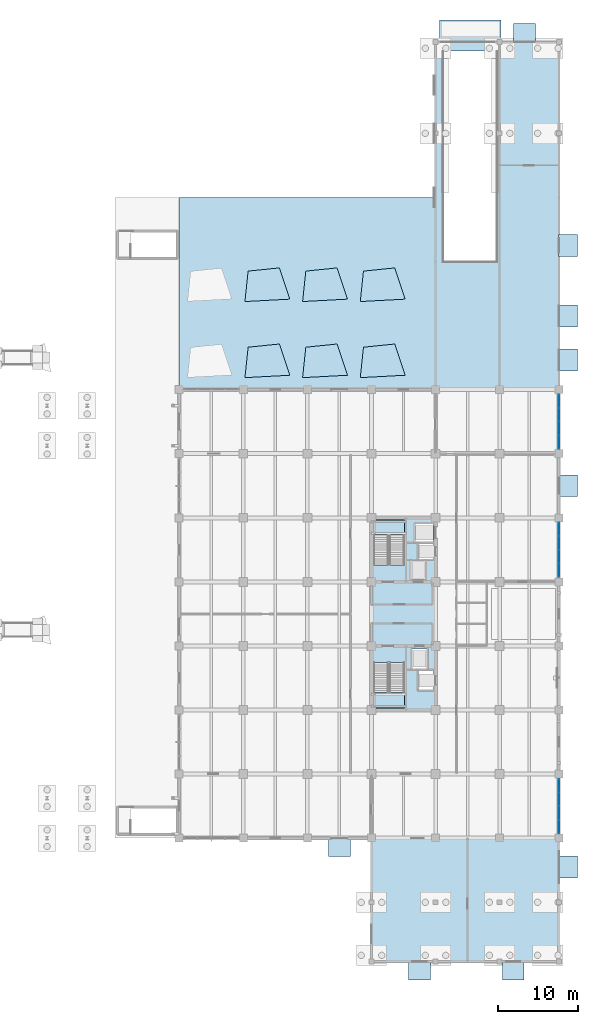
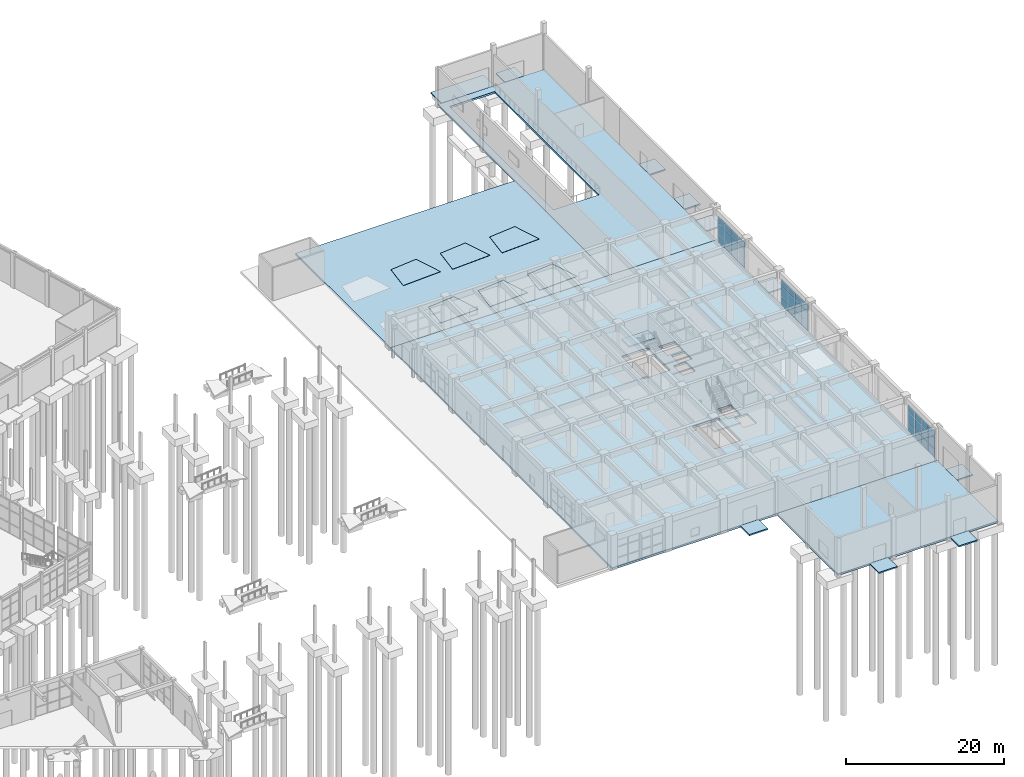
# One storey, part 68 of 90: 36 plates, 22 slabs, 5 elements without a shape of their own.
"""IFC4 building model written with IfcOpenShell, lengths in metres."""

from ifc_helpers import new_model, si_unit, direction, frame, origin, origin_2d, place, context, subcontext, project, spatial, polyline, rectangle, outline, extrude, material, layer, layer_set, type_object, element, aggregate, save


model = new_model("IFC4")

# Units and contexts
model_context = context("Model", 3, precision=1e-05, world=origin(), true_north=direction((0.0, 1.0)))
body_context = subcontext(model_context, "Body", "Model", "MODEL_VIEW")
ifc_project = project(units=[si_unit("LENGTHUNIT", "METRE"), si_unit("AREAUNIT", "SQUARE_METRE"), si_unit("VOLUMEUNIT", "CUBIC_METRE"), si_unit("PLANEANGLEUNIT", "RADIAN"), si_unit("MASSUNIT", "GRAM", prefix="KILO")], contexts=[model_context])

# Site, building, storey
site_placement = place(None, origin())
site = spatial("IfcSite", under=ifc_project, at=site_placement, CompositionType="ELEMENT")
building_placement = place(site_placement, origin())
building = spatial("IfcBuilding", under=site, at=building_placement, Name="Canggui Botanical Conservatory", CompositionType="ELEMENT")
storey_placement = place(building_placement, origin())
storey = spatial("IfcBuildingStorey", under=building, at=storey_placement, Name="L01", CompositionType="ELEMENT", Elevation=0.0)

# Curtain wall, plates
ifc_material_1 = material(Name="Thermally Broken Aluminium", Category="aluminium")
ifc_layer_1 = layer(ifc_material_1, 0.179931640625, Name="Thermally Broken Aluminium", Category="aluminium")
ifc_layer_set_1 = layer_set([ifc_layer_1], Name="Thermally Broken Aluminium")
curtain_wall_type = type_object("IfcCurtainWallType", Name="CW-UNIT-A", PredefinedType="USERDEFINED", material=ifc_layer_set_1)
curtain_wall_1_placement = place(storey_placement, origin())
curtain_wall_1 = element("IfcCurtainWall", 1, at=curtain_wall_1_placement, inside=storey, type_object=curtain_wall_type, Name="Facade Curtain Wall CW-TWR-L01-15", ObjectType="UNITISED CURTAIN WALL", PredefinedType="USERDEFINED")
ifc_material_2 = material(Name="Low-E Insulated Glass", Category="glass")
ifc_layer_2 = layer(ifc_material_2, 0.02587890625, Name="Low-E Insulated Glass", Category="glass")
ifc_layer_set_2 = layer_set([ifc_layer_2], Name="Low-E Insulated Glass")
plate_type = type_object("IfcPlateType", Name="CWP-01", PredefinedType="CURTAIN_PANEL", material=ifc_layer_set_2)
plate_1_placement = place(storey_placement, frame((177.39990234375, 80.5625, 0.06494140625), z_axis=(0.0, 0.0, 1.0), x_axis=(0.0, -1.0, 0.0)))
plate_1 = element("IfcPlate", 2, at=plate_1_placement, type_object=plate_type, Name="CW-01 panel 1.1", PredefinedType="CURTAIN_PANEL", context=body_context, shape_type="SweptSolid", body=[
    extrude(rectangle(XDim=1.614990234375, YDim=0.02587890625, at=origin_2d()), origin(), (0.0, 0.0, 1.0), 1.239990234375),
])
plate_2_placement = place(storey_placement, frame((177.39990234375, 80.5625, 1.3701171875), z_axis=(0.0, 0.0, 1.0), x_axis=(0.0, -1.0, 0.0)))
plate_2 = element("IfcPlate", 3, at=plate_2_placement, type_object=plate_type, Name="CW-01 panel 1.2", PredefinedType="CURTAIN_PANEL", context=body_context, shape_type="SweptSolid", body=[
    extrude(rectangle(XDim=1.614990234375, YDim=0.02587890625, at=origin_2d()), origin(), (0.0, 0.0, 1.0), 1.60693359375),
])
plate_3_placement = place(storey_placement, frame((177.39990234375, 80.5625, 3.0419921875), z_axis=(0.0, 0.0, 1.0), x_axis=(0.0, -1.0, 0.0)))
plate_3 = element("IfcPlate", 4, at=plate_3_placement, type_object=plate_type, Name="CW-01 panel 1.3", PredefinedType="CURTAIN_PANEL", context=body_context, shape_type="SweptSolid", body=[
    extrude(rectangle(XDim=1.614990234375, YDim=0.02587890625, at=origin_2d()), origin(), (0.0, 0.0, 1.0), 1.072998046875),
])
plate_4_placement = place(storey_placement, frame((177.39990234375, 78.860107421875, 0.06494140625), z_axis=(0.0, 0.0, 1.0), x_axis=(0.0, -1.0, 0.0)))
plate_4 = element("IfcPlate", 5, at=plate_4_placement, type_object=plate_type, Name="CW-01 panel 2.1", PredefinedType="CURTAIN_PANEL", context=body_context, shape_type="SweptSolid", body=[
    extrude(rectangle(XDim=1.64990234375, YDim=0.02587890625, at=origin_2d()), origin(), (0.0, 0.0, 1.0), 1.239990234375),
])
plate_5_placement = place(storey_placement, frame((177.39990234375, 78.860107421875, 1.3701171875), z_axis=(0.0, 0.0, 1.0), x_axis=(0.0, -1.0, 0.0)))
plate_5 = element("IfcPlate", 6, at=plate_5_placement, type_object=plate_type, Name="CW-01 panel 2.2", PredefinedType="CURTAIN_PANEL", context=body_context, shape_type="SweptSolid", body=[
    extrude(rectangle(XDim=1.64990234375, YDim=0.02587890625, at=origin_2d()), origin(), (0.0, 0.0, 1.0), 1.60693359375),
])
plate_6_placement = place(storey_placement, frame((177.39990234375, 78.860107421875, 3.0419921875), z_axis=(0.0, 0.0, 1.0), x_axis=(0.0, -1.0, 0.0)))
plate_6 = element("IfcPlate", 7, at=plate_6_placement, type_object=plate_type, Name="CW-01 panel 2.3", PredefinedType="CURTAIN_PANEL", context=body_context, shape_type="SweptSolid", body=[
    extrude(rectangle(XDim=1.64990234375, YDim=0.02587890625, at=origin_2d()), origin(), (0.0, 0.0, 1.0), 1.072998046875),
])
plate_7_placement = place(storey_placement, frame((177.39990234375, 77.139892578125, 0.06494140625), z_axis=(0.0, 0.0, 1.0), x_axis=(0.0, -1.0, 0.0)))
plate_7 = element("IfcPlate", 8, at=plate_7_placement, type_object=plate_type, Name="CW-01 panel 3.1", PredefinedType="CURTAIN_PANEL", context=body_context, shape_type="SweptSolid", body=[
    extrude(rectangle(XDim=1.64990234375, YDim=0.02587890625, at=origin_2d()), origin(), (0.0, 0.0, 1.0), 1.239990234375),
])
plate_8_placement = place(storey_placement, frame((177.39990234375, 77.139892578125, 1.3701171875), z_axis=(0.0, 0.0, 1.0), x_axis=(0.0, -1.0, 0.0)))
plate_8 = element("IfcPlate", 9, at=plate_8_placement, type_object=plate_type, Name="CW-01 panel 3.2", PredefinedType="CURTAIN_PANEL", context=body_context, shape_type="SweptSolid", body=[
    extrude(rectangle(XDim=1.64990234375, YDim=0.02587890625, at=origin_2d()), origin(), (0.0, 0.0, 1.0), 1.60693359375),
])
plate_9_placement = place(storey_placement, frame((177.39990234375, 77.139892578125, 3.0419921875), z_axis=(0.0, 0.0, 1.0), x_axis=(0.0, -1.0, 0.0)))
plate_9 = element("IfcPlate", 10, at=plate_9_placement, type_object=plate_type, Name="CW-01 panel 3.3", PredefinedType="CURTAIN_PANEL", context=body_context, shape_type="SweptSolid", body=[
    extrude(rectangle(XDim=1.64990234375, YDim=0.02587890625, at=origin_2d()), origin(), (0.0, 0.0, 1.0), 1.072998046875),
])
plate_10_placement = place(storey_placement, frame((177.39990234375, 75.4375, 0.06494140625), z_axis=(0.0, 0.0, 1.0), x_axis=(0.0, -1.0, 0.0)))
plate_10 = element("IfcPlate", 11, at=plate_10_placement, type_object=plate_type, Name="CW-01 panel 4.1", PredefinedType="CURTAIN_PANEL", context=body_context, shape_type="SweptSolid", body=[
    extrude(rectangle(XDim=1.614990234375, YDim=0.02587890625, at=origin_2d()), origin(), (0.0, 0.0, 1.0), 1.239990234375),
])
plate_11_placement = place(storey_placement, frame((177.39990234375, 75.4375, 1.3701171875), z_axis=(0.0, 0.0, 1.0), x_axis=(0.0, -1.0, 0.0)))
plate_11 = element("IfcPlate", 12, at=plate_11_placement, type_object=plate_type, Name="CW-01 panel 4.2", PredefinedType="CURTAIN_PANEL", context=body_context, shape_type="SweptSolid", body=[
    extrude(rectangle(XDim=1.614990234375, YDim=0.02587890625, at=origin_2d()), origin(), (0.0, 0.0, 1.0), 1.60693359375),
])
plate_12_placement = place(storey_placement, frame((177.39990234375, 75.4375, 3.0419921875), z_axis=(0.0, 0.0, 1.0), x_axis=(0.0, -1.0, 0.0)))
plate_12 = element("IfcPlate", 13, at=plate_12_placement, type_object=plate_type, Name="CW-01 panel 4.3", PredefinedType="CURTAIN_PANEL", context=body_context, shape_type="SweptSolid", body=[
    extrude(rectangle(XDim=1.614990234375, YDim=0.02587890625, at=origin_2d()), origin(), (0.0, 0.0, 1.0), 1.072998046875),
])
aggregate(curtain_wall_1, [plate_1, plate_2, plate_3, plate_4, plate_5, plate_6, plate_7, plate_8, plate_9, plate_10, plate_11, plate_12])

curtain_wall_2_placement = place(storey_placement, origin())
curtain_wall_2 = element("IfcCurtainWall", 14, at=curtain_wall_2_placement, inside=storey, type_object=curtain_wall_type, Name="Facade Curtain Wall CW-TWR-L01-17", ObjectType="UNITISED CURTAIN WALL", PredefinedType="USERDEFINED")
plate_13_placement = place(storey_placement, frame((177.39990234375, 64.5625, 0.06494140625), z_axis=(0.0, 0.0, 1.0), x_axis=(0.0, -1.0, 0.0)))
plate_13 = element("IfcPlate", 15, at=plate_13_placement, type_object=plate_type, Name="CW-01 panel 1.1", PredefinedType="CURTAIN_PANEL", context=body_context, shape_type="SweptSolid", body=[
    extrude(rectangle(XDim=1.614990234375, YDim=0.02587890625, at=origin_2d()), origin(), (0.0, 0.0, 1.0), 1.239990234375),
])
plate_14_placement = place(storey_placement, frame((177.39990234375, 64.5625, 1.3701171875), z_axis=(0.0, 0.0, 1.0), x_axis=(0.0, -1.0, 0.0)))
plate_14 = element("IfcPlate", 16, at=plate_14_placement, type_object=plate_type, Name="CW-01 panel 1.2", PredefinedType="CURTAIN_PANEL", context=body_context, shape_type="SweptSolid", body=[
    extrude(rectangle(XDim=1.614990234375, YDim=0.02587890625, at=origin_2d()), origin(), (0.0, 0.0, 1.0), 1.60693359375),
])
plate_15_placement = place(storey_placement, frame((177.39990234375, 64.5625, 3.0419921875), z_axis=(0.0, 0.0, 1.0), x_axis=(0.0, -1.0, 0.0)))
plate_15 = element("IfcPlate", 17, at=plate_15_placement, type_object=plate_type, Name="CW-01 panel 1.3", PredefinedType="CURTAIN_PANEL", context=body_context, shape_type="SweptSolid", body=[
    extrude(rectangle(XDim=1.614990234375, YDim=0.02587890625, at=origin_2d()), origin(), (0.0, 0.0, 1.0), 1.072998046875),
])
plate_16_placement = place(storey_placement, frame((177.39990234375, 62.860107421875, 0.06494140625), z_axis=(0.0, 0.0, 1.0), x_axis=(0.0, -1.0, 0.0)))
plate_16 = element("IfcPlate", 18, at=plate_16_placement, type_object=plate_type, Name="CW-01 panel 2.1", PredefinedType="CURTAIN_PANEL", context=body_context, shape_type="SweptSolid", body=[
    extrude(rectangle(XDim=1.64990234375, YDim=0.02587890625, at=origin_2d()), origin(), (0.0, 0.0, 1.0), 1.239990234375),
])
plate_17_placement = place(storey_placement, frame((177.39990234375, 62.860107421875, 1.3701171875), z_axis=(0.0, 0.0, 1.0), x_axis=(0.0, -1.0, 0.0)))
plate_17 = element("IfcPlate", 19, at=plate_17_placement, type_object=plate_type, Name="CW-01 panel 2.2", PredefinedType="CURTAIN_PANEL", context=body_context, shape_type="SweptSolid", body=[
    extrude(rectangle(XDim=1.64990234375, YDim=0.02587890625, at=origin_2d()), origin(), (0.0, 0.0, 1.0), 1.60693359375),
])
plate_18_placement = place(storey_placement, frame((177.39990234375, 62.860107421875, 3.0419921875), z_axis=(0.0, 0.0, 1.0), x_axis=(0.0, -1.0, 0.0)))
plate_18 = element("IfcPlate", 20, at=plate_18_placement, type_object=plate_type, Name="CW-01 panel 2.3", PredefinedType="CURTAIN_PANEL", context=body_context, shape_type="SweptSolid", body=[
    extrude(rectangle(XDim=1.64990234375, YDim=0.02587890625, at=origin_2d()), origin(), (0.0, 0.0, 1.0), 1.072998046875),
])
plate_19_placement = place(storey_placement, frame((177.39990234375, 61.139892578125, 0.06494140625), z_axis=(0.0, 0.0, 1.0), x_axis=(0.0, -1.0, 0.0)))
plate_19 = element("IfcPlate", 21, at=plate_19_placement, type_object=plate_type, Name="CW-01 panel 3.1", PredefinedType="CURTAIN_PANEL", context=body_context, shape_type="SweptSolid", body=[
    extrude(rectangle(XDim=1.64990234375, YDim=0.02587890625, at=origin_2d()), origin(), (0.0, 0.0, 1.0), 1.239990234375),
])
plate_20_placement = place(storey_placement, frame((177.39990234375, 61.139892578125, 1.3701171875), z_axis=(0.0, 0.0, 1.0), x_axis=(0.0, -1.0, 0.0)))
plate_20 = element("IfcPlate", 22, at=plate_20_placement, type_object=plate_type, Name="CW-01 panel 3.2", PredefinedType="CURTAIN_PANEL", context=body_context, shape_type="SweptSolid", body=[
    extrude(rectangle(XDim=1.64990234375, YDim=0.02587890625, at=origin_2d()), origin(), (0.0, 0.0, 1.0), 1.60693359375),
])
plate_21_placement = place(storey_placement, frame((177.39990234375, 61.139892578125, 3.0419921875), z_axis=(0.0, 0.0, 1.0), x_axis=(0.0, -1.0, 0.0)))
plate_21 = element("IfcPlate", 23, at=plate_21_placement, type_object=plate_type, Name="CW-01 panel 3.3", PredefinedType="CURTAIN_PANEL", context=body_context, shape_type="SweptSolid", body=[
    extrude(rectangle(XDim=1.64990234375, YDim=0.02587890625, at=origin_2d()), origin(), (0.0, 0.0, 1.0), 1.072998046875),
])
plate_22_placement = place(storey_placement, frame((177.39990234375, 59.4375, 0.06494140625), z_axis=(0.0, 0.0, 1.0), x_axis=(0.0, -1.0, 0.0)))
plate_22 = element("IfcPlate", 24, at=plate_22_placement, type_object=plate_type, Name="CW-01 panel 4.1", PredefinedType="CURTAIN_PANEL", context=body_context, shape_type="SweptSolid", body=[
    extrude(rectangle(XDim=1.614990234375, YDim=0.02587890625, at=origin_2d()), origin(), (0.0, 0.0, 1.0), 1.239990234375),
])
plate_23_placement = place(storey_placement, frame((177.39990234375, 59.4375, 1.3701171875), z_axis=(0.0, 0.0, 1.0), x_axis=(0.0, -1.0, 0.0)))
plate_23 = element("IfcPlate", 25, at=plate_23_placement, type_object=plate_type, Name="CW-01 panel 4.2", PredefinedType="CURTAIN_PANEL", context=body_context, shape_type="SweptSolid", body=[
    extrude(rectangle(XDim=1.614990234375, YDim=0.02587890625, at=origin_2d()), origin(), (0.0, 0.0, 1.0), 1.60693359375),
])
plate_24_placement = place(storey_placement, frame((177.39990234375, 59.4375, 3.0419921875), z_axis=(0.0, 0.0, 1.0), x_axis=(0.0, -1.0, 0.0)))
plate_24 = element("IfcPlate", 26, at=plate_24_placement, type_object=plate_type, Name="CW-01 panel 4.3", PredefinedType="CURTAIN_PANEL", context=body_context, shape_type="SweptSolid", body=[
    extrude(rectangle(XDim=1.614990234375, YDim=0.02587890625, at=origin_2d()), origin(), (0.0, 0.0, 1.0), 1.072998046875),
])
aggregate(curtain_wall_2, [plate_13, plate_14, plate_15, plate_16, plate_17, plate_18, plate_19, plate_20, plate_21, plate_22, plate_23, plate_24])

curtain_wall_3_placement = place(storey_placement, origin())
curtain_wall_3 = element("IfcCurtainWall", 27, at=curtain_wall_3_placement, inside=storey, type_object=curtain_wall_type, Name="Facade Curtain Wall CW-TWR-L01-21", ObjectType="UNITISED CURTAIN WALL", PredefinedType="USERDEFINED")
plate_25_placement = place(storey_placement, frame((177.39990234375, 32.5625, 0.06494140625), z_axis=(0.0, 0.0, 1.0), x_axis=(0.0, -1.0, 0.0)))
plate_25 = element("IfcPlate", 28, at=plate_25_placement, type_object=plate_type, Name="CW-01 panel 1.1", PredefinedType="CURTAIN_PANEL", context=body_context, shape_type="SweptSolid", body=[
    extrude(rectangle(XDim=1.614990234375, YDim=0.02587890625, at=origin_2d()), origin(), (0.0, 0.0, 1.0), 1.239990234375),
])
plate_26_placement = place(storey_placement, frame((177.39990234375, 32.5625, 1.3701171875), z_axis=(0.0, 0.0, 1.0), x_axis=(0.0, -1.0, 0.0)))
plate_26 = element("IfcPlate", 29, at=plate_26_placement, type_object=plate_type, Name="CW-01 panel 1.2", PredefinedType="CURTAIN_PANEL", context=body_context, shape_type="SweptSolid", body=[
    extrude(rectangle(XDim=1.614990234375, YDim=0.02587890625, at=origin_2d()), origin(), (0.0, 0.0, 1.0), 1.60693359375),
])
plate_27_placement = place(storey_placement, frame((177.39990234375, 32.5625, 3.0419921875), z_axis=(0.0, 0.0, 1.0), x_axis=(0.0, -1.0, 0.0)))
plate_27 = element("IfcPlate", 30, at=plate_27_placement, type_object=plate_type, Name="CW-01 panel 1.3", PredefinedType="CURTAIN_PANEL", context=body_context, shape_type="SweptSolid", body=[
    extrude(rectangle(XDim=1.614990234375, YDim=0.02587890625, at=origin_2d()), origin(), (0.0, 0.0, 1.0), 1.072998046875),
])
plate_28_placement = place(storey_placement, frame((177.39990234375, 30.860107421875, 0.06494140625), z_axis=(0.0, 0.0, 1.0), x_axis=(0.0, -1.0, 0.0)))
plate_28 = element("IfcPlate", 31, at=plate_28_placement, type_object=plate_type, Name="CW-01 panel 2.1", PredefinedType="CURTAIN_PANEL", context=body_context, shape_type="SweptSolid", body=[
    extrude(rectangle(XDim=1.64990234375, YDim=0.02587890625, at=origin_2d()), origin(), (0.0, 0.0, 1.0), 1.239990234375),
])
plate_29_placement = place(storey_placement, frame((177.39990234375, 30.860107421875, 1.3701171875), z_axis=(0.0, 0.0, 1.0), x_axis=(0.0, -1.0, 0.0)))
plate_29 = element("IfcPlate", 32, at=plate_29_placement, type_object=plate_type, Name="CW-01 panel 2.2", PredefinedType="CURTAIN_PANEL", context=body_context, shape_type="SweptSolid", body=[
    extrude(rectangle(XDim=1.64990234375, YDim=0.02587890625, at=origin_2d()), origin(), (0.0, 0.0, 1.0), 1.60693359375),
])
plate_30_placement = place(storey_placement, frame((177.39990234375, 30.860107421875, 3.0419921875), z_axis=(0.0, 0.0, 1.0), x_axis=(0.0, -1.0, 0.0)))
plate_30 = element("IfcPlate", 33, at=plate_30_placement, type_object=plate_type, Name="CW-01 panel 2.3", PredefinedType="CURTAIN_PANEL", context=body_context, shape_type="SweptSolid", body=[
    extrude(rectangle(XDim=1.64990234375, YDim=0.02587890625, at=origin_2d()), origin(), (0.0, 0.0, 1.0), 1.072998046875),
])
plate_31_placement = place(storey_placement, frame((177.39990234375, 29.139892578125, 0.06494140625), z_axis=(0.0, 0.0, 1.0), x_axis=(0.0, -1.0, 0.0)))
plate_31 = element("IfcPlate", 34, at=plate_31_placement, type_object=plate_type, Name="CW-01 panel 3.1", PredefinedType="CURTAIN_PANEL", context=body_context, shape_type="SweptSolid", body=[
    extrude(rectangle(XDim=1.64990234375, YDim=0.02587890625, at=origin_2d()), origin(), (0.0, 0.0, 1.0), 1.239990234375),
])
plate_32_placement = place(storey_placement, frame((177.39990234375, 29.139892578125, 1.3701171875), z_axis=(0.0, 0.0, 1.0), x_axis=(0.0, -1.0, 0.0)))
plate_32 = element("IfcPlate", 35, at=plate_32_placement, type_object=plate_type, Name="CW-01 panel 3.2", PredefinedType="CURTAIN_PANEL", context=body_context, shape_type="SweptSolid", body=[
    extrude(rectangle(XDim=1.64990234375, YDim=0.02587890625, at=origin_2d()), origin(), (0.0, 0.0, 1.0), 1.60693359375),
])
plate_33_placement = place(storey_placement, frame((177.39990234375, 29.139892578125, 3.0419921875), z_axis=(0.0, 0.0, 1.0), x_axis=(0.0, -1.0, 0.0)))
plate_33 = element("IfcPlate", 36, at=plate_33_placement, type_object=plate_type, Name="CW-01 panel 3.3", PredefinedType="CURTAIN_PANEL", context=body_context, shape_type="SweptSolid", body=[
    extrude(rectangle(XDim=1.64990234375, YDim=0.02587890625, at=origin_2d()), origin(), (0.0, 0.0, 1.0), 1.072998046875),
])
plate_34_placement = place(storey_placement, frame((177.39990234375, 27.4375, 0.06494140625), z_axis=(0.0, 0.0, 1.0), x_axis=(0.0, -1.0, 0.0)))
plate_34 = element("IfcPlate", 37, at=plate_34_placement, type_object=plate_type, Name="CW-01 panel 4.1", PredefinedType="CURTAIN_PANEL", context=body_context, shape_type="SweptSolid", body=[
    extrude(rectangle(XDim=1.614990234375, YDim=0.02587890625, at=origin_2d()), origin(), (0.0, 0.0, 1.0), 1.239990234375),
])
plate_35_placement = place(storey_placement, frame((177.39990234375, 27.4375, 1.3701171875), z_axis=(0.0, 0.0, 1.0), x_axis=(0.0, -1.0, 0.0)))
plate_35 = element("IfcPlate", 38, at=plate_35_placement, type_object=plate_type, Name="CW-01 panel 4.2", PredefinedType="CURTAIN_PANEL", context=body_context, shape_type="SweptSolid", body=[
    extrude(rectangle(XDim=1.614990234375, YDim=0.02587890625, at=origin_2d()), origin(), (0.0, 0.0, 1.0), 1.60693359375),
])
plate_36_placement = place(storey_placement, frame((177.39990234375, 27.4375, 3.0419921875), z_axis=(0.0, 0.0, 1.0), x_axis=(0.0, -1.0, 0.0)))
plate_36 = element("IfcPlate", 39, at=plate_36_placement, type_object=plate_type, Name="CW-01 panel 4.3", PredefinedType="CURTAIN_PANEL", context=body_context, shape_type="SweptSolid", body=[
    extrude(rectangle(XDim=1.614990234375, YDim=0.02587890625, at=origin_2d()), origin(), (0.0, 0.0, 1.0), 1.072998046875),
])
aggregate(curtain_wall_3, [plate_25, plate_26, plate_27, plate_28, plate_29, plate_30, plate_31, plate_32, plate_33, plate_34, plate_35, plate_36])

# Slabs
ifc_material_3 = material(Name="Concrete C35", Category="concrete")
ifc_layer_3 = layer(ifc_material_3, 0.280029296875, Name="Concrete C35", Category="concrete")
ifc_layer_set_3 = layer_set([ifc_layer_3], Name="Concrete C35")
slab_type_1 = type_object("IfcSlabType", Name="SLAB-F280", PredefinedType="FLOOR", material=ifc_layer_set_3)
slab_1_placement = place(storey_placement, frame((0.0, 0.0, -0.280029296875)))
element("IfcSlab", 40, at=slab_1_placement, inside=storey, type_object=slab_type_1, Name="South-East Quarantine and Fire Control Wing Slab", PredefinedType="FLOOR", context=body_context, shape_type="SweptSolid", body=[
    extrude(outline(polyline([(154.0, 10.60009765625), (177.39990234375, 10.60009765625), (177.39990234375, 26.0), (154.0, 26.0), (154.0, 10.60009765625)])), origin(), (0.0, 0.0, 1.0), 0.280029296875),
])
slab_2_placement = place(storey_placement, frame((0.0, 0.0, -0.280029296875)))
element("IfcSlab", 41, at=slab_2_placement, inside=storey, type_object=slab_type_1, Name="North-East Ramp Portal and Cycle Store Wing Slab", PredefinedType="FLOOR", context=body_context, shape_type="SweptSolid", body=[
    extrude(outline(polyline([(162.0, 82.0), (177.39990234375, 82.0), (177.39990234375, 125.39990234375), (162.0, 125.39990234375), (162.0, 82.0)]), holes=[polyline([(163.0, 98.0), (169.60009765625, 98.0), (169.60009765625, 124.25), (163.0, 124.25), (163.0, 98.0)])]), origin(), (0.0, 0.0, 1.0), 0.280029296875),
])
ifc_layer_4 = layer(ifc_material_3, 0.300048828125, Name="Concrete C35", Category="concrete")
ifc_layer_set_4 = layer_set([ifc_layer_4], Name="Concrete C35")
slab_type_2 = type_object("IfcSlabType", Name="SLAB-F300", PredefinedType="FLOOR", material=ifc_layer_set_4)
slab_3_placement = place(storey_placement, frame((0.0, 0.0, -0.300048828125)))
element("IfcSlab", 42, at=slab_3_placement, inside=storey, type_object=slab_type_2, Name="Research Tower L01 Floor Slab", PredefinedType="FLOOR", context=body_context, shape_type="SweptSolid", body=[
    extrude(outline(polyline([(130.0, 26.0), (177.39990234375, 26.0), (177.39990234375, 82.0), (130.0, 82.0), (130.0, 26.0)]), holes=[polyline([(154.300048828125, 47.91943359375), (154.300048828125, 42.260009765625), (158.1201171875, 42.260009765625), (158.1201171875, 47.91943359375), (154.300048828125, 47.91943359375)]), polyline([(158.1201171875, 60.08056640625), (158.1201171875, 65.739990234375), (154.300048828125, 65.739990234375), (154.300048828125, 60.08056640625), (158.1201171875, 60.08056640625)]), polyline([(159.050048828125, 47.14990234375), (160.949951171875, 47.14990234375), (160.949951171875, 49.64990234375), (159.050048828125, 49.64990234375), (159.050048828125, 47.14990234375)]), polyline([(159.85009765625, 44.5), (161.75, 44.5), (161.75, 46.89990234375), (159.85009765625, 46.89990234375), (159.85009765625, 44.5)]), polyline([(158.949951171875, 58.300048828125), (160.75, 58.300048828125), (160.75, 60.64990234375), (158.949951171875, 60.64990234375), (158.949951171875, 58.300048828125)]), polyline([(159.85009765625, 60.85009765625), (161.75, 60.85009765625), (161.75, 62.75), (159.85009765625, 62.75), (159.85009765625, 60.85009765625)]), polyline([(159.449951171875, 63.050048828125), (161.75, 63.050048828125), (161.75, 65.25), (159.449951171875, 65.25), (159.449951171875, 63.050048828125)])]), origin(), (0.0, 0.0, 1.0), 0.300048828125),
])
ifc_layer_5 = layer(ifc_material_3, 0.35009765625, Name="Concrete C35", Category="concrete")
ifc_layer_set_5 = layer_set([ifc_layer_5], Name="Concrete C35")
slab_type_3 = type_object("IfcSlabType", Name="SLAB-F350", PredefinedType="FLOOR", material=ifc_layer_set_5)
slab_4_placement = place(storey_placement, frame((0.0, 0.0, -0.35009765625)))
element("IfcSlab", 43, at=slab_4_placement, inside=storey, type_object=slab_type_3, Name="Courtyard Fire-Lane Deck Slab Over Basement North", PredefinedType="FLOOR", context=body_context, shape_type="SweptSolid", body=[
    extrude(outline(polyline([(130.0, 82.0), (162.0, 82.0), (162.0, 106.0), (130.0, 106.0), (130.0, 82.0)])), origin(), (0.0, 0.0, 1.0), 0.35009765625),
])

# Stair, slab
stair_type = type_object("IfcStairType", Name="STR-TYPE-3", PredefinedType="HALF_TURN_STAIR", material=ifc_material_3)
stair_1_placement = place(storey_placement, origin())
stair_1 = element("IfcStair", 44, at=stair_1_placement, inside=storey, type_object=stair_type, Name="L01 Tower South Smoke-Proof Stair ST-T1", PredefinedType="HALF_TURN_STAIR")
ifc_layer_6 = layer(ifc_material_3, 0.199951171875, Name="Concrete C35", Category="concrete")
ifc_layer_set_6 = layer_set([ifc_layer_6], Name="Concrete C35")
slab_type_4 = type_object("IfcSlabType", Name="SLAB-LND-200", PredefinedType="LANDING", material=ifc_layer_set_6)
slab_5_placement = place(storey_placement, frame((0.0, 0.0, 2.5)))
slab_5 = element("IfcSlab", 45, at=slab_5_placement, type_object=slab_type_4, Name="ST-T1 landing 1", PredefinedType="LANDING", context=body_context, shape_type="SweptSolid", body=[
    extrude(outline(polyline([(154.300048828125, 44.16845703125), (154.300048828125, 42.260009765625), (158.1201171875, 42.260009765625), (158.1201171875, 44.16845703125), (154.300048828125, 44.16845703125)])), origin(), (0.0, 0.0, 1.0), 0.199951171875),
])
aggregate(stair_1, [slab_5])

stair_2_placement = place(storey_placement, origin())
stair_2 = element("IfcStair", 46, at=stair_2_placement, inside=storey, type_object=stair_type, Name="L01 Tower North Smoke-Proof Stair ST-T2", PredefinedType="HALF_TURN_STAIR")
slab_6_placement = place(storey_placement, frame((0.0, 0.0, 2.5)))
slab_6 = element("IfcSlab", 47, at=slab_6_placement, type_object=slab_type_4, Name="ST-T2 landing 1", PredefinedType="LANDING", context=body_context, shape_type="SweptSolid", body=[
    extrude(outline(polyline([(158.1201171875, 63.83154296875), (158.1201171875, 65.739990234375), (154.300048828125, 65.739990234375), (154.300048828125, 63.83154296875), (158.1201171875, 63.83154296875)])), origin(), (0.0, 0.0, 1.0), 0.199951171875),
])
aggregate(stair_2, [slab_6])

# Slabs
ifc_layer_7 = layer(ifc_material_3, 0.179931640625, Name="Concrete C35", Category="concrete")
ifc_layer_set_7 = layer_set([ifc_layer_7], Name="Concrete C35")
slab_type_5 = type_object("IfcSlabType", Name="SLAB-PAV-180", PredefinedType="USERDEFINED", material=ifc_layer_set_7)
slab_7_placement = place(storey_placement, origin())
element("IfcSlab", 48, at=slab_7_placement, inside=storey, type_object=slab_type_5, Name="Rail-Yard Courtyard Splayed Promenade Paving 2", ObjectType="PAVING", PredefinedType="USERDEFINED", context=body_context, shape_type="SweptSolid", body=[
    extrude(outline(polyline([(138.199951171875, 83.5), (143.800048828125, 83.800048828125), (142.5, 87.699951171875), (138.60009765625, 87.300048828125), (138.199951171875, 83.5)])), origin(), (0.0, 0.0, 1.0), 0.034912109375),
])
slab_8_placement = place(storey_placement, origin())
element("IfcSlab", 49, at=slab_8_placement, inside=storey, type_object=slab_type_5, Name="Rail-Yard Courtyard Splayed Promenade Paving 3", ObjectType="PAVING", PredefinedType="USERDEFINED", context=body_context, shape_type="SweptSolid", body=[
    extrude(outline(polyline([(145.39990234375, 83.5), (151.0, 83.800048828125), (149.699951171875, 87.699951171875), (145.800048828125, 87.300048828125), (145.39990234375, 83.5)])), origin(), (0.0, 0.0, 1.0), 0.034912109375),
])
slab_9_placement = place(storey_placement, origin())
element("IfcSlab", 50, at=slab_9_placement, inside=storey, type_object=slab_type_5, Name="Rail-Yard Courtyard Splayed Promenade Paving 4", ObjectType="PAVING", PredefinedType="USERDEFINED", context=body_context, shape_type="SweptSolid", body=[
    extrude(outline(polyline([(152.60009765625, 83.5), (158.199951171875, 83.800048828125), (156.89990234375, 87.699951171875), (153.0, 87.300048828125), (152.60009765625, 83.5)])), origin(), (0.0, 0.0, 1.0), 0.034912109375),
])
slab_10_placement = place(storey_placement, origin())
element("IfcSlab", 51, at=slab_10_placement, inside=storey, type_object=slab_type_5, Name="Rail-Yard Courtyard Splayed Promenade Paving 6", ObjectType="PAVING", PredefinedType="USERDEFINED", context=body_context, shape_type="SweptSolid", body=[
    extrude(outline(polyline([(138.199951171875, 93.0), (143.800048828125, 93.300048828125), (142.5, 97.199951171875), (138.60009765625, 96.800048828125), (138.199951171875, 93.0)])), origin(), (0.0, 0.0, 1.0), 0.034912109375),
])
slab_11_placement = place(storey_placement, origin())
element("IfcSlab", 52, at=slab_11_placement, inside=storey, type_object=slab_type_5, Name="Rail-Yard Courtyard Splayed Promenade Paving 7", ObjectType="PAVING", PredefinedType="USERDEFINED", context=body_context, shape_type="SweptSolid", body=[
    extrude(outline(polyline([(145.39990234375, 93.0), (151.0, 93.300048828125), (149.699951171875, 97.199951171875), (145.800048828125, 96.800048828125), (145.39990234375, 93.0)])), origin(), (0.0, 0.0, 1.0), 0.034912109375),
])
slab_12_placement = place(storey_placement, origin())
element("IfcSlab", 53, at=slab_12_placement, inside=storey, type_object=slab_type_5, Name="Rail-Yard Courtyard Splayed Promenade Paving 8", ObjectType="PAVING", PredefinedType="USERDEFINED", context=body_context, shape_type="SweptSolid", body=[
    extrude(outline(polyline([(152.60009765625, 93.0), (158.199951171875, 93.300048828125), (156.89990234375, 97.199951171875), (153.0, 96.800048828125), (152.60009765625, 93.0)])), origin(), (0.0, 0.0, 1.0), 0.034912109375),
])
ifc_layer_8 = layer(ifc_material_3, 0.199951171875, Name="Concrete C35", Category="concrete")
ifc_layer_set_8 = layer_set([ifc_layer_8], Name="Concrete C35")
slab_type_6 = type_object("IfcSlabType", Name="SLAB-PAV-200", PredefinedType="USERDEFINED", material=ifc_layer_set_8)
slab_13_placement = place(storey_placement, frame((0.0, 0.0, -0.199951171875)))
element("IfcSlab", 54, at=slab_13_placement, inside=storey, type_object=slab_type_6, Name="Vehicle Ramp Exterior Driveway Apron", ObjectType="PAVING", PredefinedType="USERDEFINED", context=body_context, shape_type="SweptSolid", body=[
    extrude(outline(polyline([(162.5, 125.385009765625), (170.199951171875, 125.385009765625), (170.199951171875, 128.14990234375), (162.5, 128.14990234375), (162.5, 125.385009765625)])), origin(), (0.0, 0.0, 1.0), 0.199951171875),
])
slab_14_placement = place(storey_placement, frame((0.0, 0.0, -0.199951171875)))
element("IfcSlab", 55, at=slab_14_placement, inside=storey, type_object=slab_type_6, Name="Entrance Threshold Paving APRON-TWR-01", ObjectType="PAVING", PredefinedType="USERDEFINED", context=body_context, shape_type="SweptSolid", body=[
    extrude(outline(polyline([(148.64990234375, 26.02197265625), (151.35009765625, 26.02197265625), (151.35009765625, 23.699951171875), (148.64990234375, 23.699951171875), (148.64990234375, 26.02197265625)])), origin(), (0.0, 0.0, 1.0), 0.199951171875),
])
slab_15_placement = place(storey_placement, frame((0.0, 0.0, -0.199951171875)))
element("IfcSlab", 56, at=slab_15_placement, inside=storey, type_object=slab_type_6, Name="Entrance Threshold Paving APRON-TWR-05", ObjectType="PAVING", PredefinedType="USERDEFINED", context=body_context, shape_type="SweptSolid", body=[
    extrude(outline(polyline([(177.3779296875, 68.64990234375), (177.3779296875, 71.35009765625), (179.699951171875, 71.35009765625), (179.699951171875, 68.64990234375), (177.3779296875, 68.64990234375)])), origin(), (0.0, 0.0, 1.0), 0.199951171875),
])
slab_16_placement = place(storey_placement, frame((0.0, 0.0, -0.199951171875)))
element("IfcSlab", 57, at=slab_16_placement, inside=storey, type_object=slab_type_6, Name="Entrance Threshold Paving APRON-SE-06", ObjectType="PAVING", PredefinedType="USERDEFINED", context=body_context, shape_type="SweptSolid", body=[
    extrude(outline(polyline([(158.64990234375, 10.6220703125), (161.35009765625, 10.6220703125), (161.35009765625, 8.300048828125), (158.64990234375, 8.300048828125), (158.64990234375, 10.6220703125)])), origin(), (0.0, 0.0, 1.0), 0.199951171875),
])
slab_17_placement = place(storey_placement, frame((0.0, 0.0, -0.199951171875)))
element("IfcSlab", 58, at=slab_17_placement, inside=storey, type_object=slab_type_6, Name="Entrance Threshold Paving APRON-SE-07", ObjectType="PAVING", PredefinedType="USERDEFINED", context=body_context, shape_type="SweptSolid", body=[
    extrude(outline(polyline([(170.35009765625, 10.6220703125), (173.050048828125, 10.6220703125), (173.050048828125, 8.300048828125), (170.35009765625, 8.300048828125), (170.35009765625, 10.6220703125)])), origin(), (0.0, 0.0, 1.0), 0.199951171875),
])
slab_18_placement = place(storey_placement, frame((0.0, 0.0, -0.199951171875)))
element("IfcSlab", 59, at=slab_18_placement, inside=storey, type_object=slab_type_6, Name="Entrance Threshold Paving APRON-LDK-01", ObjectType="PAVING", PredefinedType="USERDEFINED", context=body_context, shape_type="SweptSolid", body=[
    extrude(outline(polyline([(177.3779296875, 21.050048828125), (177.3779296875, 23.75), (179.699951171875, 23.75), (179.699951171875, 21.050048828125), (177.3779296875, 21.050048828125)])), origin(), (0.0, 0.0, 1.0), 0.199951171875),
])
slab_19_placement = place(storey_placement, frame((0.0, 0.0, -0.199951171875)))
element("IfcSlab", 60, at=slab_19_placement, inside=storey, type_object=slab_type_6, Name="Entrance Threshold Paving APRON-SRV-01", ObjectType="PAVING", PredefinedType="USERDEFINED", context=body_context, shape_type="SweptSolid", body=[
    extrude(outline(polyline([(174.449951171875, 125.3779296875), (171.75, 125.3779296875), (171.75, 127.699951171875), (174.449951171875, 127.699951171875), (174.449951171875, 125.3779296875)])), origin(), (0.0, 0.0, 1.0), 0.199951171875),
])
slab_20_placement = place(storey_placement, frame((0.0, 0.0, -0.199951171875)))
element("IfcSlab", 61, at=slab_20_placement, inside=storey, type_object=slab_type_6, Name="Entrance Threshold Paving APRON-NE-08", ObjectType="PAVING", PredefinedType="USERDEFINED", context=body_context, shape_type="SweptSolid", body=[
    extrude(outline(polyline([(177.3779296875, 98.64990234375), (177.3779296875, 101.35009765625), (179.699951171875, 101.35009765625), (179.699951171875, 98.64990234375), (177.3779296875, 98.64990234375)])), origin(), (0.0, 0.0, 1.0), 0.199951171875),
])
slab_21_placement = place(storey_placement, frame((0.0, 0.0, -0.199951171875)))
element("IfcSlab", 62, at=slab_21_placement, inside=storey, type_object=slab_type_6, Name="Entrance Threshold Paving APRON-SRV-E1A", ObjectType="PAVING", PredefinedType="USERDEFINED", context=body_context, shape_type="SweptSolid", body=[
    extrude(outline(polyline([(177.3779296875, 89.85009765625), (177.3779296875, 92.550048828125), (179.699951171875, 92.550048828125), (179.699951171875, 89.85009765625), (177.3779296875, 89.85009765625)])), origin(), (0.0, 0.0, 1.0), 0.199951171875),
])
slab_22_placement = place(storey_placement, frame((0.0, 0.0, -0.199951171875)))
element("IfcSlab", 63, at=slab_22_placement, inside=storey, type_object=slab_type_6, Name="Entrance Threshold Paving APRON-SRV-E1B", ObjectType="PAVING", PredefinedType="USERDEFINED", context=body_context, shape_type="SweptSolid", body=[
    extrude(outline(polyline([(177.3779296875, 84.35009765625), (177.3779296875, 87.050048828125), (179.699951171875, 87.050048828125), (179.699951171875, 84.35009765625), (177.3779296875, 84.35009765625)])), origin(), (0.0, 0.0, 1.0), 0.199951171875),
])

save(model, "model.ifc")
